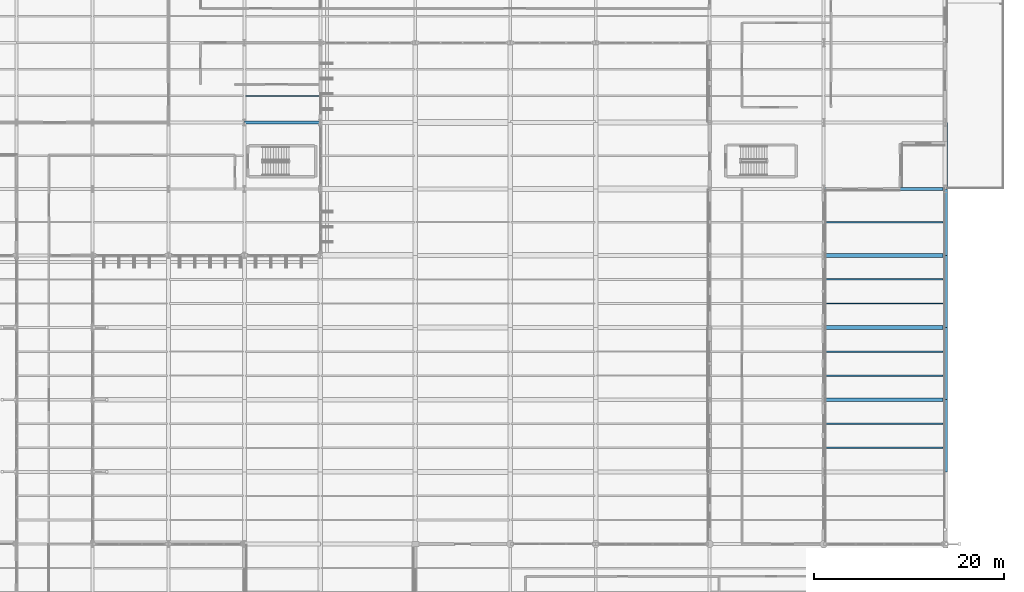
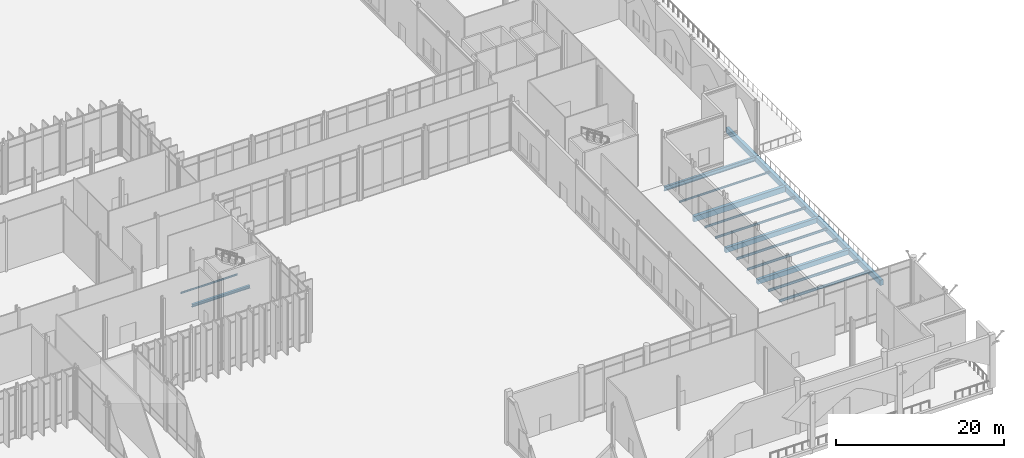
# One storey, part 92 of 176: 18 beams.
"""IFC4 building model written with IfcOpenShell, lengths in metres."""

import ifcopenshell
import ifcopenshell.guid

model = None  # the IFC model being written
_history = None  # IfcOwnerHistory: only IFC2X3 demands one
_inside = {}  # id of a spatial element -> (the spatial element, [elements in it])
_under = {}  # id of a project, library or spatial element -> (it, [spatial elements below it])
_declared = {}  # id of a project -> (the project, [libraries it declares])
_typed = {}  # id of a type object -> (the type object, [elements of that type])
_made_of = {}  # id of a material, layer set ... -> (it, [elements and type objects made of it])


def new_model(schema):
    """Start an empty IFC model of exactly this schema.

    Asked for "IFC4X3", IfcOpenShell would pick the latest addendum, in which some entities
    have other attributes; the version numbers below select the first issue.
    IFC2X3 requires an IfcOwnerHistory on every rooted entity: one is made here for all.
    """
    global model, _history
    if schema == "IFC4X3":
        model = ifcopenshell.file(schema_version=(4, 3, 0, 0))
    else:
        model = ifcopenshell.file(schema=schema)
    _inside.clear()
    _under.clear()
    _declared.clear()
    _typed.clear()
    _made_of.clear()
    _history = None
    if model.schema == "IFC2X3":
        org = make("IfcOrganization", Name="unknown")
        user = make(
            "IfcPersonAndOrganization",
            ThePerson=make("IfcPerson", FamilyName="unknown"),
            TheOrganization=org,
        )
        app = make(
            "IfcApplication",
            ApplicationDeveloper=org,
            Version="unknown",
            ApplicationFullName="unknown",
            ApplicationIdentifier="unknown",
        )
        _history = make(
            "IfcOwnerHistory",
            OwningUser=user,
            OwningApplication=app,
            ChangeAction="ADDED",
            CreationDate=0,
        )
    return model


def make(cls, **values):
    """One entity of the class cls with the attributes given. An attribute that is None is left unset."""
    return model.create_entity(
        cls, **{name: value for name, value in values.items() if value is not None}
    )


def rooted(cls, **values):
    """An entity with a GlobalId (a new one), such as an element, a storey or a relation."""
    return make(cls, GlobalId=ifcopenshell.guid.new(), OwnerHistory=_history, **values)


def si_unit(unit_type, name, prefix=None):
    """IfcSIUnit, for example si_unit("LENGTHUNIT", "METRE", prefix="MILLI")."""
    return make("IfcSIUnit", UnitType=unit_type, Prefix=prefix, Name=name)


def assignment(units):
    """IfcUnitAssignment: the units of a project."""
    return None if units is None else make("IfcUnitAssignment", Units=units)


def point(xyz):
    """IfcCartesianPoint."""
    return None if xyz is None else make("IfcCartesianPoint", Coordinates=xyz)


def direction(xyz):
    """IfcDirection."""
    return None if xyz is None else make("IfcDirection", DirectionRatios=xyz)


def frame(location, z_axis=None, x_axis=None):
    """IfcAxis2Placement3D, a coordinate frame: its origin and axes. An axis left out is left unset."""
    return make(
        "IfcAxis2Placement3D",
        Location=point(location),
        Axis=direction(z_axis),
        RefDirection=direction(x_axis),
    )


def frame_2d(location, x_axis=None):
    """IfcAxis2Placement2D, a coordinate frame in the plane: its origin and x axis."""
    return make(
        "IfcAxis2Placement2D", Location=point(location), RefDirection=direction(x_axis)
    )


def origin():
    """The frame at (0, 0, 0) with its axes left unset."""
    return frame((0.0, 0.0, 0.0))


def origin_2d():
    """The frame at (0, 0) in the plane with its x axis left unset."""
    return frame_2d((0.0, 0.0))


def place(relative_to, where):
    """IfcLocalPlacement: puts the frame where relative to a parent placement (None: the world)."""
    return make(
        "IfcLocalPlacement", PlacementRelTo=relative_to, RelativePlacement=where
    )


def context(
    kind, dimensions, precision=None, world=None, true_north=None, identifier=None
):
    """IfcGeometricRepresentationContext, for example the 3D "Model" context."""
    return make(
        "IfcGeometricRepresentationContext",
        ContextIdentifier=identifier,
        ContextType=kind,
        CoordinateSpaceDimension=dimensions,
        Precision=precision,
        WorldCoordinateSystem=world,
        TrueNorth=true_north,
    )


def subcontext(parent, identifier, kind, view, scale=None):
    """IfcGeometricRepresentationSubContext, for example "Body" below "Model"."""
    return make(
        "IfcGeometricRepresentationSubContext",
        ContextIdentifier=identifier,
        ContextType=kind,
        ParentContext=parent,
        TargetScale=scale,
        TargetView=view,
    )


def project(units=None, contexts=None):
    """IfcProject with its units and contexts."""
    return rooted(
        "IfcProject",
        Name="project",
        RepresentationContexts=contexts,
        UnitsInContext=assignment(units),
    )


def spatial(cls, under=None, at=None, **own):
    """A site, building, storey or space (cls), placed at a placement, below another one or the project."""
    s = rooted(cls, ObjectPlacement=at, **own)
    if under is not None:
        _under.setdefault(under.id(), (under, []))[1].append(s)
    return s


def profile(cls, at=None, kind="AREA", **sizes):
    """A parametric profile (cls). Its sizes go by their IFC names, for example OverallWidth=200.0."""
    return make(cls, ProfileType=kind, Position=at, **sizes)


def rectangle(**sizes):
    """IfcRectangleProfileDef."""
    return profile("IfcRectangleProfileDef", **sizes)


def i_section(**sizes):
    """IfcIShapeProfileDef."""
    return profile("IfcIShapeProfileDef", **sizes)


def extrude(swept, where, along, depth):
    """IfcExtrudedAreaSolid: the profile swept, set in the frame where, extruded along a direction by depth."""
    return make(
        "IfcExtrudedAreaSolid",
        SweptArea=swept,
        Position=where,
        ExtrudedDirection=direction(along),
        Depth=depth,
    )


def shape(context_of_items, identifier, shape_type, items):
    """IfcShapeRepresentation: the items that make up one representation, for example the "Body"."""
    return make(
        "IfcShapeRepresentation",
        ContextOfItems=context_of_items,
        RepresentationIdentifier=identifier,
        RepresentationType=shape_type,
        Items=items,
    )


def material(Name=None, Category=None):
    """IfcMaterial."""
    return make("IfcMaterial", Name=Name, Category=Category)


def material_profile(
    of_material, cross_section, Name=None, Category=None, Priority=None
):
    """IfcMaterialProfile: a cross section and its material."""
    return make(
        "IfcMaterialProfile",
        Name=Name,
        Material=of_material,
        Profile=cross_section,
        Priority=Priority,
        Category=Category,
    )


def profile_set(profiles, Name=None, composite=None):
    """IfcMaterialProfileSet."""
    return make(
        "IfcMaterialProfileSet",
        Name=Name,
        MaterialProfiles=profiles,
        CompositeProfile=composite,
    )


def made_of(thing, what):
    """Note that an element or type object is made of a material, layer set ...; save() writes the relation."""
    if what is not None:
        _made_of.setdefault(what.id(), (what, []))[1].append(thing)
    return thing


def type_object(cls, material=None, **own):
    """A type object (cls), such as IfcWallType, which elements share."""
    return made_of(rooted(cls, **own), material)


def element(
    cls,
    number,
    at=None,
    inside=None,
    cuts=None,
    type_object=None,
    material=None,
    context=None,
    identifier="Body",
    shape_type=None,
    held_by="IfcProductDefinitionShape",
    body=None,
    shapes=None,
    **own,
):
    """One element of the class cls, such as IfcWall. Its Tag is "e" and its number.

    at: its placement. inside: the storey or other place that contains it. cuts: it is an
    opening in that element (IfcRelVoidsElement). A single representation is given by context,
    identifier, shape_type and body (its items); several are given by shapes. held_by: the class
    of the entity that holds the representations. save() writes the other relations.
    """
    e = rooted(cls, Tag="e%d" % number, ObjectPlacement=at, **own)
    if body is not None:
        shapes = [shape(context, identifier, shape_type, body)]
    if shapes is not None:
        e.Representation = make(held_by, Representations=shapes)
    if inside is not None:
        _inside.setdefault(inside.id(), (inside, []))[1].append(e)
    if cuts is not None:
        rooted(
            "IfcRelVoidsElement", RelatingBuildingElement=cuts, RelatedOpeningElement=e
        )
    if type_object is not None:
        _typed.setdefault(type_object.id(), (type_object, []))[1].append(e)
    return made_of(e, material)


def aggregate(whole, parts):
    """IfcRelAggregates: a whole, such as a stair, and the parts it consists of."""
    return rooted("IfcRelAggregates", RelatingObject=whole, RelatedObjects=parts)


def save(model, path):
    """Write the relations noted so far, then the file.

    IfcRelAggregates (storeys below a building ...), IfcRelContainedInSpatialStructure (elements
    in a storey), IfcRelDefinesByType, IfcRelAssociatesMaterial and IfcRelDeclares: one each for
    every whole, place, type object, material and project.
    """
    for whole, parts in _under.values():
        aggregate(whole, parts)
    for where, things in _inside.values():
        rooted(
            "IfcRelContainedInSpatialStructure",
            RelatedElements=things,
            RelatingStructure=where,
        )
    for kind, things in _typed.values():
        rooted("IfcRelDefinesByType", RelatedObjects=things, RelatingType=kind)
    for what, things in _made_of.values():
        rooted("IfcRelAssociatesMaterial", RelatedObjects=things, RelatingMaterial=what)
    for by, libraries in _declared.values():
        rooted("IfcRelDeclares", RelatingContext=by, RelatedDefinitions=libraries)
    model.write(path)


model = new_model("IFC4")

# Units and contexts
model_context = context("Model", 3, precision=1e-05, world=origin(), true_north=direction((0.0, 1.0)))
body_context = subcontext(model_context, "Body", "Model", "MODEL_VIEW")
ifc_project = project(units=[si_unit("LENGTHUNIT", "METRE"), si_unit("AREAUNIT", "SQUARE_METRE"), si_unit("VOLUMEUNIT", "CUBIC_METRE"), si_unit("PLANEANGLEUNIT", "RADIAN"), si_unit("MASSUNIT", "GRAM", prefix="KILO")], contexts=[model_context])

# Site, building, storey
site_placement = place(None, origin())
site = spatial("IfcSite", under=ifc_project, at=site_placement, CompositionType="ELEMENT")
building_placement = place(site_placement, origin())
building = spatial("IfcBuilding", under=site, at=building_placement, Name="Vekula Escarpment Museum", CompositionType="ELEMENT")
storey_placement = place(building_placement, origin())
storey = spatial("IfcBuildingStorey", under=building, at=storey_placement, Name="L01", CompositionType="ELEMENT", Elevation=0.0)

# Beams
ifc_material_1 = material(Name="Steel S355", Category="steel")
ifc_material_profile_1 = material_profile(ifc_material_1, i_section(OverallWidth=0.300048828125, OverallDepth=0.60009765625, WebThickness=0.015380859375, FlangeThickness=0.030029296875, FilletRadius=0.027099609375, at=origin_2d()), Name="HEB 600")
ifc_profile_set_1 = profile_set([ifc_material_profile_1], Name="Steel S355")
beam_type_1 = type_object("IfcBeamType", Name="BM-GIRD-HEB600", PredefinedType="BEAM", material=ifc_profile_set_1)
beam_1_placement = place(storey_placement, frame((179.0, 52.60009765625, -0.60009765625), z_axis=(1.0, 0.0, 0.0), x_axis=(0.0, 1.0, 0.0)))
element("IfcBeam", 1, at=beam_1_placement, inside=storey, type_object=beam_type_1, Name="Beam X L01 0158", PredefinedType="BEAM", context=body_context, shape_type="SweptSolid", body=[
    extrude(i_section(OverallWidth=0.300048828125, OverallDepth=0.60009765625, WebThickness=0.015380859375, FlangeThickness=0.030029296875, FilletRadius=0.027099609375, at=origin_2d()), origin(), (0.0, 0.0, 1.0), 12.800048828125),
])
ifc_material_2 = material(Name="Steel S355", Category="steel")
ifc_material_profile_2 = material_profile(ifc_material_2, i_section(OverallWidth=0.1201171875, OverallDepth=0.239990234375, WebThickness=0.006103515625, FlangeThickness=0.009765625, FilletRadius=0.014892578125, at=origin_2d()), Name="IPE 240")
ifc_profile_set_2 = profile_set([ifc_material_profile_2], Name="Steel S355")
beam_type_2 = type_object("IfcBeamType", Name="BM-JST-IPE240", PredefinedType="JOIST", material=ifc_profile_set_2)
beam_2_placement = place(storey_placement, frame((118.090087890625, 62.39990234375, -0.419921875), z_axis=(1.0, 0.0, 0.0), x_axis=(0.0, 1.0, 0.0)))
element("IfcBeam", 2, at=beam_2_placement, inside=storey, type_object=beam_type_2, Name="Secondary Joist L01 0395", PredefinedType="JOIST", context=body_context, shape_type="SweptSolid", body=[
    extrude(i_section(OverallWidth=0.1201171875, OverallDepth=0.239990234375, WebThickness=0.006103515625, FlangeThickness=0.009765625, FilletRadius=0.014892578125, at=origin_2d()), origin(), (0.0, 0.0, 1.0), 7.81982421875),
])
ifc_material_3 = material(Name="Steel S355", Category="steel")
ifc_material_profile_3 = material_profile(ifc_material_3, i_section(OverallWidth=0.135009765625, OverallDepth=0.27001953125, WebThickness=0.006591796875, FlangeThickness=0.01025390625, FilletRadius=0.014892578125, at=origin_2d()), Name="IPE 270")
ifc_profile_set_3 = profile_set([ifc_material_profile_3], Name="Steel S355")
beam_type_3 = type_object("IfcBeamType", Name="BM-JST-IPE270", PredefinedType="JOIST", material=ifc_profile_set_3)
beam_3_placement = place(storey_placement, frame((179.090087890625, 49.10009765625, -0.43505859375), z_axis=(1.0, 0.0, 0.0), x_axis=(0.0, 1.0, 0.0)))
element("IfcBeam", 3, at=beam_3_placement, inside=storey, type_object=beam_type_3, Name="Secondary Joist L01 0578", PredefinedType="JOIST", context=body_context, shape_type="SweptSolid", body=[
    extrude(i_section(OverallWidth=0.135009765625, OverallDepth=0.27001953125, WebThickness=0.006591796875, FlangeThickness=0.01025390625, FilletRadius=0.014892578125, at=origin_2d()), origin(), (0.0, 0.0, 1.0), 12.619873046875),
])
ifc_material_4 = material(Name="Steel S355", Category="steel")
ifc_material_profile_4 = material_profile(ifc_material_4, i_section(OverallWidth=0.14990234375, OverallDepth=0.300048828125, WebThickness=0.007080078125, FlangeThickness=0.0107421875, FilletRadius=0.014892578125, at=origin_2d()), Name="IPE 300")
ifc_profile_set_4 = profile_set([ifc_material_profile_4], Name="Steel S355")
beam_type_4 = type_object("IfcBeamType", Name="BM-JST-IPE300", PredefinedType="JOIST", material=ifc_profile_set_4)
for number, where, z_axis, x_axis, name in (
    (4, (179.090087890625, 40.533203125, -0.449951171875), (1.0, 0.0, 0.0), (0.0, 1.0, 0.0), "Secondary Joist L01 0576"),
    (5, (179.090087890625, 43.066650390625, -0.449951171875), (1.0, 0.0, 0.0), (0.0, 1.0, 0.0), "Secondary Joist L01 0577"),
):
    element("IfcBeam", number, at=place(storey_placement, frame(where, z_axis=z_axis, x_axis=x_axis)), inside=storey, type_object=beam_type_4, Name=name, PredefinedType="JOIST", context=body_context, shape_type="SweptSolid", body=[
        extrude(i_section(OverallWidth=0.14990234375, OverallDepth=0.300048828125, WebThickness=0.007080078125, FlangeThickness=0.0107421875, FilletRadius=0.014892578125, at=origin_2d()), origin(), (0.0, 0.0, 1.0), 12.619873046875),
    ])
ifc_material_5 = material(Name="Steel S355", Category="steel")
ifc_material_profile_5 = material_profile(ifc_material_5, i_section(OverallWidth=0.159912109375, OverallDepth=0.330078125, WebThickness=0.007568359375, FlangeThickness=0.011474609375, FilletRadius=0.01806640625, at=origin_2d()), Name="IPE 330")
ifc_profile_set_5 = profile_set([ifc_material_profile_5], Name="Steel S355")
beam_type_5 = type_object("IfcBeamType", Name="BM-JST-IPE330", PredefinedType="JOIST", material=ifc_profile_set_5)
for number, where, z_axis, x_axis, name in (
    (6, (179.090087890625, 32.933349609375, -0.465087890625), (1.0, 0.0, 0.0), (0.0, 1.0, 0.0), "Secondary Joist L01 0574"),
    (7, (179.090087890625, 35.466796875, -0.465087890625), (1.0, 0.0, 0.0), (0.0, 1.0, 0.0), "Secondary Joist L01 0575"),
):
    element("IfcBeam", number, at=place(storey_placement, frame(where, z_axis=z_axis, x_axis=x_axis)), inside=storey, type_object=beam_type_5, Name=name, PredefinedType="JOIST", context=body_context, shape_type="SweptSolid", body=[
        extrude(i_section(OverallWidth=0.159912109375, OverallDepth=0.330078125, WebThickness=0.007568359375, FlangeThickness=0.011474609375, FilletRadius=0.01806640625, at=origin_2d()), origin(), (0.0, 0.0, 1.0), 12.619873046875),
    ])
ifc_material_6 = material(Name="Steel S355", Category="steel")
ifc_material_profile_6 = material_profile(ifc_material_6, i_section(OverallWidth=0.169921875, OverallDepth=0.360107421875, WebThickness=0.008056640625, FlangeThickness=0.0126953125, FilletRadius=0.01806640625, at=origin_2d()), Name="IPE 360")
ifc_profile_set_6 = profile_set([ifc_material_profile_6], Name="Steel S355")
beam_type_6 = type_object("IfcBeamType", Name="BM-JST-IPE360", PredefinedType="JOIST", material=ifc_profile_set_6)
for number, where, z_axis, x_axis, name in (
    (8, (179.090087890625, 25.333251953125, -0.47998046875), (1.0, 0.0, 0.0), (0.0, 1.0, 0.0), "Secondary Joist L01 0572"),
    (9, (179.090087890625, 27.86669921875, -0.47998046875), (1.0, 0.0, 0.0), (0.0, 1.0, 0.0), "Secondary Joist L01 0573"),
):
    element("IfcBeam", number, at=place(storey_placement, frame(where, z_axis=z_axis, x_axis=x_axis)), inside=storey, type_object=beam_type_6, Name=name, PredefinedType="JOIST", context=body_context, shape_type="SweptSolid", body=[
        extrude(i_section(OverallWidth=0.169921875, OverallDepth=0.360107421875, WebThickness=0.008056640625, FlangeThickness=0.0126953125, FilletRadius=0.01806640625, at=origin_2d()), origin(), (0.0, 0.0, 1.0), 12.619873046875),
    ])
ifc_material_7 = material(Name="Concrete C35/45", Category="concrete")
ifc_material_profile_7 = material_profile(ifc_material_7, rectangle(XDim=0.449951171875, YDim=0.800048828125, at=origin_2d()), Name="RC 450x800")
ifc_profile_set_7 = profile_set([ifc_material_profile_7], Name="Concrete C35/45")
beam_type_7 = type_object("IfcBeamType", Name="BM-PLINTH-RC", PredefinedType="BEAM", material=ifc_profile_set_7)
beam_4_placement = place(storey_placement, frame((179.0, 45.60009765625, -0.699951171875), z_axis=(1.0, 0.0, 0.0), x_axis=(0.0, 1.0, 0.0)))
element("IfcBeam", 10, at=beam_4_placement, inside=storey, type_object=beam_type_7, Name="Beam X L01 0137", PredefinedType="BEAM", context=body_context, shape_type="SweptSolid", body=[
    extrude(rectangle(XDim=0.449951171875, YDim=0.800048828125, at=origin_2d()), origin(), (0.0, 0.0, 1.0), 12.800048828125),
])
beam_5_placement = place(storey_placement, frame((191.800048828125, 22.800048828125, -0.699951171875), z_axis=(0.0, 1.0, 0.0), x_axis=(-1.0, 0.0, 0.0)))
element("IfcBeam", 11, at=beam_5_placement, inside=storey, type_object=beam_type_7, Name="Beam Y L01 0766", PredefinedType="BEAM", context=body_context, shape_type="SweptSolid", body=[
    extrude(rectangle(XDim=0.449951171875, YDim=0.800048828125, at=origin_2d()), origin(), (0.0, 0.0, 1.0), 7.599853515625),
])
for number, where, z_axis, x_axis, name in (
    (12, (191.800048828125, 30.39990234375, -0.699951171875), (0.0, 1.0, 0.0), (-1.0, 0.0, 0.0), "Beam Y L01 0767"),
    (13, (191.800048828125, 38.0, -0.699951171875), (0.0, 1.0, 0.0), (-1.0, 0.0, 0.0), "Beam Y L01 0768"),
):
    element("IfcBeam", number, at=place(storey_placement, frame(where, z_axis=z_axis, x_axis=x_axis)), inside=storey, type_object=beam_type_7, Name=name, PredefinedType="BEAM", context=body_context, shape_type="SweptSolid", body=[
        extrude(rectangle(XDim=0.449951171875, YDim=0.800048828125, at=origin_2d()), origin(), (0.0, 0.0, 1.0), 7.60009765625),
    ])
for number, where, z_axis, x_axis, name in (
    (14, (191.800048828125, 45.60009765625, -0.699951171875), (0.0, 1.0, 0.0), (-1.0, 0.0, 0.0), "Beam Y L01 0769"),
    (15, (191.800048828125, 52.60009765625, -0.699951171875), (0.0, 1.0, 0.0), (-1.0, 0.0, 0.0), "Beam Y L01 0770"),
):
    element("IfcBeam", number, at=place(storey_placement, frame(where, z_axis=z_axis, x_axis=x_axis)), inside=storey, type_object=beam_type_7, Name=name, PredefinedType="BEAM", context=body_context, shape_type="SweptSolid", body=[
        extrude(rectangle(XDim=0.449951171875, YDim=0.800048828125, at=origin_2d()), origin(), (0.0, 0.0, 1.0), 7.0),
    ])
ifc_material_8 = material(Name="Concrete C35/45", Category="concrete")
ifc_material_profile_8 = material_profile(ifc_material_8, rectangle(XDim=0.39990234375, YDim=0.699951171875, at=origin_2d()), Name="RC 400x700")
ifc_profile_set_8 = profile_set([ifc_material_profile_8], Name="Concrete C35/45")
beam_type_8 = type_object("IfcBeamType", Name="BM-PLINTH-RC2", PredefinedType="BEAM", material=ifc_profile_set_8)
for number, where, z_axis, x_axis, name in (
    (16, (179.0, 30.39990234375, -0.64990234375), (1.0, 0.0, 0.0), (0.0, 1.0, 0.0), "Beam X L01 0099"),
    (17, (179.0, 38.0, -0.64990234375), (1.0, 0.0, 0.0), (0.0, 1.0, 0.0), "Beam X L01 0118"),
):
    element("IfcBeam", number, at=place(storey_placement, frame(where, z_axis=z_axis, x_axis=x_axis)), inside=storey, type_object=beam_type_8, Name=name, PredefinedType="BEAM", context=body_context, shape_type="SweptSolid", body=[
        extrude(rectangle(XDim=0.39990234375, YDim=0.699951171875, at=origin_2d()), origin(), (0.0, 0.0, 1.0), 12.800048828125),
    ])
ifc_material_9 = material(Name="Steel S355", Category="steel")
ifc_material_profile_9 = material_profile(ifc_material_9, i_section(OverallWidth=0.300048828125, OverallDepth=0.389892578125, WebThickness=0.010986328125, FlangeThickness=0.01904296875, FilletRadius=0.027099609375, at=origin_2d()), Name="HEA 400")
ifc_profile_set_9 = profile_set([ifc_material_profile_9], Name="Steel S355")
beam_type_9 = type_object("IfcBeamType", Name="BM-SPAN-HEA400", PredefinedType="SPANDREL", material=ifc_profile_set_9)
beam_6_placement = place(storey_placement, frame((118.0, 59.60009765625, -0.4951171875), z_axis=(1.0, 0.0, 0.0), x_axis=(0.0, 1.0, 0.0)))
element("IfcBeam", 18, at=beam_6_placement, inside=storey, type_object=beam_type_9, Name="Beam X L01 0175", PredefinedType="SPANDREL", context=body_context, shape_type="SweptSolid", body=[
    extrude(i_section(OverallWidth=0.300048828125, OverallDepth=0.389892578125, WebThickness=0.010986328125, FlangeThickness=0.01904296875, FilletRadius=0.027099609375, at=origin_2d()), origin(), (0.0, 0.0, 1.0), 8.0),
])

save(model, "model.ifc")
